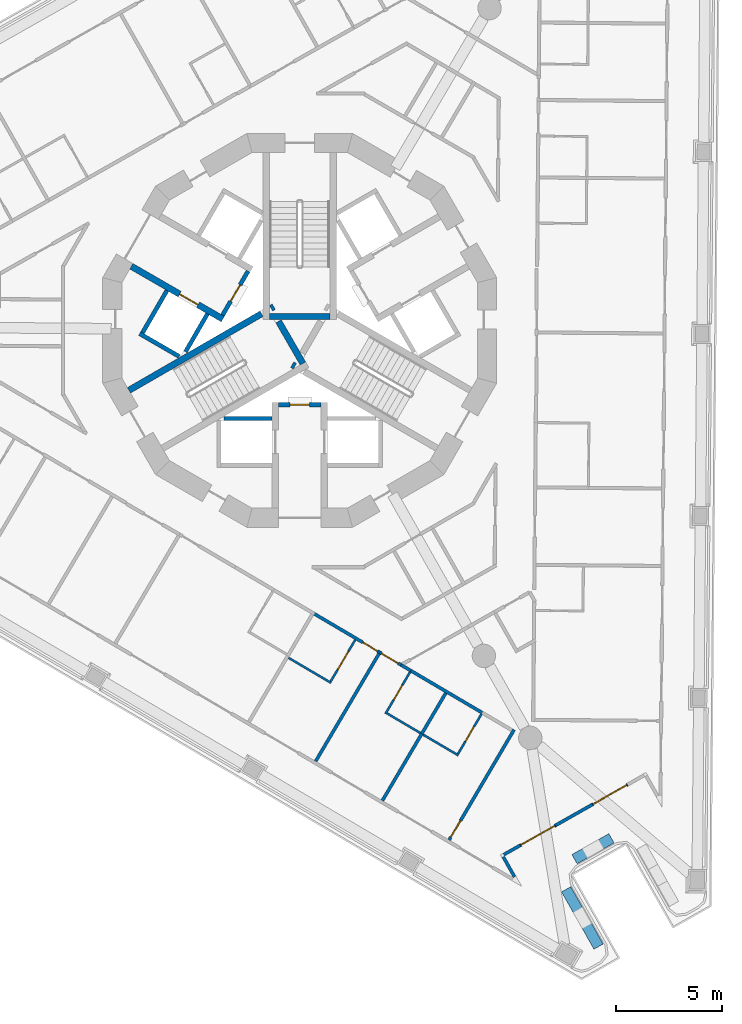
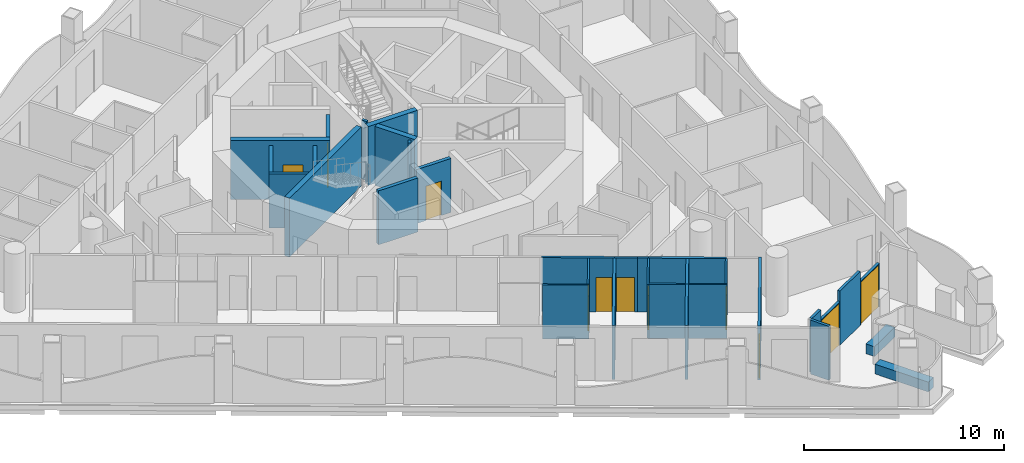
# One storey, part 4 of 17: 33 walls, 11 doors, 11 openings.
"""IFC4 building model written with IfcOpenShell, lengths in metres."""

from ifc_helpers import new_model, si_unit, direction, frame, frame_2d, origin, place, context, subcontext, project, spatial, polyline, rectangle, outline, extrude, material, layer, layer_set, type_object, element, fill, save


model = new_model("IFC4")

# Units and contexts
model_context = context("Model", 3, precision=1e-05, world=origin(), true_north=direction((0.0, 1.0)))
body_context = subcontext(model_context, "Body", "Model", "MODEL_VIEW")
ifc_project = project(units=[si_unit("LENGTHUNIT", "METRE"), si_unit("AREAUNIT", "SQUARE_METRE"), si_unit("VOLUMEUNIT", "CUBIC_METRE"), si_unit("PLANEANGLEUNIT", "RADIAN"), si_unit("MASSUNIT", "GRAM", prefix="KILO")], contexts=[model_context])

# Site, building, storey
site_placement = place(None, origin())
site = spatial("IfcSite", under=ifc_project, at=site_placement, CompositionType="ELEMENT")
building_placement = place(site_placement, origin())
building = spatial("IfcBuilding", under=site, at=building_placement, Name="Trine Commons Tower", CompositionType="ELEMENT")
storey_placement = place(building_placement, frame((0.0, 0.0, 179.10009765625)))
storey = spatial("IfcBuildingStorey", under=building, at=storey_placement, Name="L46", CompositionType="ELEMENT", Elevation=179.10009765625)

# Wall, opening, door
ifc_material_1 = material(Name="Aluminium-framed insulated wall panel", Category="aluminium")
ifc_layer_1 = layer(ifc_material_1, 0.14990234375)
ifc_layer_set_1 = layer_set([ifc_layer_1], Name="Aluminium-framed insulated wall panel")
wall_type_1 = type_object("IfcWallType", Name="Glazed frame wall 150, EI 60", PredefinedType="SOLIDWALL", material=ifc_layer_set_1)
wall_1_placement = place(storey_placement, frame((95.430419921875, 41.115966796875, 0.0), z_axis=(0.0, 0.0, 1.0), x_axis=(-0.870354540841, -0.492425601728, 0.0)))
wall_1 = element("IfcWall", 1, at=wall_1_placement, inside=storey, type_object=wall_type_1, Name="Glazed frame wall P3.2", PredefinedType="SOLIDWALL", context=body_context, shape_type="SweptSolid", body=[
    extrude(outline(polyline([(0.0, -0.074951171875), (1.89990234375, -0.074951171875), (1.89990234375, 0.074951171875), (0.0, 0.074951171875), (0.0, -0.074951171875)])), origin(), (0.0, 0.0, 1.0), 2.64990234375),
])
opening_1_placement = place(wall_1_placement, frame((0.050048828125, 0.0, 0.0)))
opening_1 = element("IfcOpeningElement", 2, at=opening_1_placement, cuts=wall_1, Name="Opening BD-5P3-01", PredefinedType="OPENING", context=body_context, shape_type="SweptSolid", body=[
    extrude(rectangle(XDim=1.800048828125, YDim=2.60009765625, at=frame_2d((0.89990234375, 1.300048828125))), frame((0.0, 0.0849609375, 0.0), z_axis=(0.0, -1.0, 0.0), x_axis=(1.0, 0.0, 0.0)), (0.0, 0.0, 1.0), 0.169921875),
])
ifc_material_2 = material(Name="Anodised aluminium frame with double glazing", Category="aluminium")
door_type_1 = type_object("IfcDoorType", Name="Sliding loggia door 1800x2600", OperationType="SLIDING_TO_LEFT", PredefinedType="DOOR", material=ifc_material_2)
door_1_placement = place(opening_1_placement, origin())
door_1 = element("IfcDoor", 3, at=door_1_placement, inside=storey, type_object=door_type_1, Name="Loggia door P3 1", OperationType="SLIDING_TO_LEFT", OverallHeight=2.60009765625, OverallWidth=1.800048828125, PredefinedType="DOOR", context=body_context, shape_type="SweptSolid", body=[
    extrude(rectangle(XDim=1.800048828125, YDim=2.60009765625, at=frame_2d((0.89990234375, 1.300048828125))), frame((0.0, 0.02490234375, 0.0), z_axis=(0.0, -1.0, 0.0), x_axis=(1.0, 0.0, 0.0)), (0.0, 0.0, 1.0), 0.050048828125),
])
fill(opening_1, door_1)

# Wall
wall_2_placement = place(storey_placement, frame((93.77685546875, 40.180419921875, 0.0), z_axis=(0.0, 0.0, 1.0), x_axis=(-0.870353598469, -0.492427267353, 0.0)))
element("IfcWall", 4, at=wall_2_placement, inside=storey, type_object=wall_type_1, Name="Glazed frame wall P3.3", PredefinedType="SOLIDWALL", context=body_context, shape_type="SweptSolid", body=[
    extrude(outline(polyline([(0.0, -0.074951171875), (2.0, -0.074951171875), (2.0, 0.074951171875), (0.0, 0.074951171875), (0.0, -0.074951171875)])), origin(), (0.0, 0.0, 1.0), 3.2998046875),
])

# Wall, opening, door
wall_3_placement = place(storey_placement, frame((92.0361328125, 39.195556640625, 0.0), z_axis=(0.0, 0.0, 1.0), x_axis=(-0.870385695537, -0.492370532226, 0.0)))
wall_3 = element("IfcWall", 5, at=wall_3_placement, inside=storey, type_object=wall_type_1, Name="Glazed frame wall P3.4", PredefinedType="SOLIDWALL", context=body_context, shape_type="SweptSolid", body=[
    extrude(outline(polyline([(0.0, -0.074951171875), (1.89990234375, -0.074951171875), (1.89990234375, 0.074951171875), (0.0, 0.074951171875), (0.0, -0.074951171875)])), origin(), (0.0, 0.0, 1.0), 2.64990234375),
])
opening_2_placement = place(wall_3_placement, frame((0.050048828125, 0.0, 0.0)))
opening_2 = element("IfcOpeningElement", 6, at=opening_2_placement, cuts=wall_3, Name="Opening BD-5P3-02", PredefinedType="OPENING", context=body_context, shape_type="SweptSolid", body=[
    extrude(rectangle(XDim=1.800048828125, YDim=2.60009765625, at=frame_2d((0.89990234375, 1.300048828125))), frame((0.0, 0.0849609375, 0.0), z_axis=(0.0, -1.0, 0.0), x_axis=(1.0, 0.0, 0.0)), (0.0, 0.0, 1.0), 0.169921875),
])
door_2_placement = place(opening_2_placement, origin())
door_2 = element("IfcDoor", 7, at=door_2_placement, inside=storey, type_object=door_type_1, Name="Loggia door P3 2", OperationType="SLIDING_TO_LEFT", OverallHeight=2.60009765625, OverallWidth=1.800048828125, PredefinedType="DOOR", context=body_context, shape_type="SweptSolid", body=[
    extrude(rectangle(XDim=1.800048828125, YDim=2.60009765625, at=frame_2d((0.89990234375, 1.300048828125))), frame((0.0, 0.02490234375, 0.0), z_axis=(0.0, -1.0, 0.0), x_axis=(1.0, 0.0, 0.0)), (0.0, 0.0, 1.0), 0.050048828125),
])
fill(opening_2, door_2)

# Walls
wall_4_placement = place(storey_placement, frame((90.38232421875, 38.260009765625, 0.0), z_axis=(0.0, 0.0, 1.0), x_axis=(-0.870294379776, -0.492531920316, 0.0)))
element("IfcWall", 8, at=wall_4_placement, inside=storey, type_object=wall_type_1, Name="Glazed frame wall P3.5", PredefinedType="SOLIDWALL", context=body_context, shape_type="SweptSolid", body=[
    extrude(outline(polyline([(0.889892578125, 0.074951171875), (0.0, 0.074951171875), (0.0, -0.074951171875), (0.889892578125, -0.074951171875), (0.889892578125, 0.074951171875)])), origin(), (0.0, 0.0, 1.0), 3.2998046875),
])
wall_5_placement = place(storey_placement, frame((89.525390625, 37.815185546875, 0.0), z_axis=(0.0, 0.0, 1.0), x_axis=(0.492302481267, -0.870424187933, 0.0)))
element("IfcWall", 9, at=wall_5_placement, inside=storey, type_object=wall_type_1, Name="Glazed frame wall R11", PredefinedType="SOLIDWALL", context=body_context, shape_type="SweptSolid", body=[
    extrude(outline(polyline([(0.110107421875, 0.074951171875), (0.110107421875, -0.074951171875), (1.19580078125, -0.074951171875), (1.19580078125, 0.074951171875), (0.110107421875, 0.074951171875)])), origin(), (0.0, 0.0, 1.0), 3.2998046875),
])

# Wall, opening, door
ifc_material_3 = material(Name="Fire-rated gypsum shaft wall system")
ifc_layer_2 = layer(ifc_material_3, 0.199951171875)
ifc_layer_set_2 = layer_set([ifc_layer_2], Name="Fire-rated gypsum shaft wall system")
wall_type_2 = type_object("IfcWallType", Name="Lobby end wall 200 mm, EI 120", PredefinedType="PARTITIONING", material=ifc_layer_set_2)
wall_6_placement = place(storey_placement, frame((77.569091796875, 65.2890625, 0.0), z_axis=(0.0, 0.0, 1.0), x_axis=(-0.50012165622, -0.865955154139, 0.0)))
wall_6 = element("IfcWall", 10, at=wall_6_placement, inside=storey, type_object=wall_type_2, Name="Lobby end wall L46", PredefinedType="PARTITIONING", context=body_context, shape_type="SweptSolid", body=[
    extrude(rectangle(XDim=2.39990234375, YDim=0.199951171875, at=frame_2d((1.199951171875, 0.0))), origin(), (0.0, 0.0, 1.0), 3.2998046875),
])
opening_3_placement = place(wall_6_placement, frame((0.749755859375, 0.0, 0.0)))
opening_3 = element("IfcOpeningElement", 11, at=opening_3_placement, cuts=wall_6, Name="Opening K09.07", PredefinedType="OPENING", context=body_context, shape_type="SweptSolid", body=[
    extrude(rectangle(XDim=0.89990234375, YDim=2.10009765625, at=frame_2d((0.449951171875, 1.050048828125))), frame((0.0, 0.10986328125, 0.0), z_axis=(0.0, -1.0, 0.0), x_axis=(1.0, 0.0, 0.0)), (0.0, 0.0, 1.0), 0.219970703125),
])
ifc_material_4 = material(Name="Steel door leaf, fire-rated", Category="steel")
door_type_2 = type_object("IfcDoorType", Name="Riser access door, single leaf 900 x 2100, FD60", OperationType="SINGLE_SWING_LEFT", PredefinedType="DOOR", material=ifc_material_4)
door_3_placement = place(opening_3_placement, frame((0.89990234375, 0.0, 0.0), z_axis=(0.0, 0.0, 1.0), x_axis=(-1.0, 0.0, 0.0)))
door_3 = element("IfcDoor", 12, at=door_3_placement, inside=storey, type_object=door_type_2, Name="Riser door, Mechanical riser L46", OperationType="SINGLE_SWING_RIGHT", OverallHeight=2.10009765625, OverallWidth=0.89990234375, PredefinedType="DOOR", context=body_context, shape_type="SweptSolid", body=[
    extrude(rectangle(XDim=0.89990234375, YDim=2.10009765625, at=frame_2d((0.449951171875, 1.050048828125))), frame((0.0, 0.02490234375, 0.0), z_axis=(0.0, -1.0, 0.0), x_axis=(1.0, 0.0, 0.0)), (0.0, 0.0, 1.0), 0.050048828125),
])
fill(opening_3, door_3)

wall_7_placement = place(storey_placement, frame((79.0, 59.0, 0.0), z_axis=(0.0, 0.0, 1.0), x_axis=(1.0, 0.0, 0.0)))
wall_7 = element("IfcWall", 13, at=wall_7_placement, inside=storey, type_object=wall_type_2, Name="Lobby end wall L46", PredefinedType="PARTITIONING", context=body_context, shape_type="SweptSolid", body=[
    extrude(rectangle(XDim=2.0, YDim=0.199951171875, at=frame_2d((1.0, 0.0))), origin(), (0.0, 0.0, 1.0), 3.2998046875),
])
opening_4_placement = place(wall_7_placement, frame((0.550048828125, 0.0, 0.0)))
opening_4 = element("IfcOpeningElement", 14, at=opening_4_placement, cuts=wall_7, Name="Opening K09.09", PredefinedType="OPENING", context=body_context, shape_type="SweptSolid", body=[
    extrude(rectangle(XDim=0.89990234375, YDim=2.10009765625, at=frame_2d((0.449951171875, 1.050048828125))), frame((0.0, 0.10986328125, 0.0), z_axis=(0.0, -1.0, 0.0), x_axis=(1.0, 0.0, 0.0)), (0.0, 0.0, 1.0), 0.219970703125),
])
door_4_placement = place(opening_4_placement, frame((0.89990234375, 0.0, 0.0), z_axis=(0.0, 0.0, 1.0), x_axis=(-1.0, 0.0, 0.0)))
door_4 = element("IfcDoor", 15, at=door_4_placement, inside=storey, type_object=door_type_2, Name="Riser door, Communications riser L46", OperationType="SINGLE_SWING_RIGHT", OverallHeight=2.10009765625, OverallWidth=0.89990234375, PredefinedType="DOOR", context=body_context, shape_type="SweptSolid", body=[
    extrude(rectangle(XDim=0.89990234375, YDim=2.10009765625, at=frame_2d((0.449951171875, 1.050048828125))), frame((0.0, 0.02490234375, 0.0), z_axis=(0.0, -1.0, 0.0), x_axis=(1.0, 0.0, 0.0)), (0.0, 0.0, 1.0), 0.050048828125),
])
fill(opening_4, door_4)

# Walls
ifc_material_5 = material(Name="Planter trough, precast concrete C40/50", Category="concrete")
ifc_layer_3 = layer(ifc_material_5, 0.5)
ifc_layer_set_3 = layer_set([ifc_layer_3], Name="Planter trough, precast concrete C40/50")
wall_type_3 = type_object("IfcWallType", Name="Planter trough 500x600", PredefinedType="PARAPET", material=ifc_layer_set_3)
wall_8_placement = place(storey_placement, frame((94.67529296875, 38.592041015625, 0.0), z_axis=(0.0, 0.0, 1.0), x_axis=(-0.870323993841, -0.492479589165, 0.0)))
element("IfcWall", 16, at=wall_8_placement, inside=storey, type_object=wall_type_3, Name="Planter 8", PredefinedType="PARAPET", context=body_context, shape_type="SweptSolid", body=[
    extrude(rectangle(XDim=1.999755859375, YDim=0.5, at=frame_2d((1.0, 0.0))), origin(), (0.0, 0.0, 1.0), 0.599853515625),
])
wall_9_placement = place(storey_placement, frame((92.541748046875, 36.189697265625, 0.0), z_axis=(0.0, 0.0, 1.0), x_axis=(0.492402381783, -0.870367677717, 0.0)))
element("IfcWall", 17, at=wall_9_placement, inside=storey, type_object=wall_type_3, Name="Planter 9", PredefinedType="PARAPET", context=body_context, shape_type="SweptSolid", body=[
    extrude(rectangle(XDim=3.099853515625, YDim=0.5, at=frame_2d((1.5498046875, 0.0))), origin(), (0.0, 0.0, 1.0), 0.599853515625),
])

# Wall, opening, door
ifc_material_6 = material(Name="Concrete C60/75", Category="concrete")
ifc_layer_4 = layer(ifc_material_6, 0.300048828125)
ifc_layer_set_4 = layer_set([ifc_layer_4], Name="Concrete C60/75")
wall_type_4 = type_object("IfcWallType", Name="RC shear wall 300 mm, C60/75", PredefinedType="SHEAR", material=ifc_layer_set_4)
wall_10_placement = place(storey_placement, frame((76.381103515625, 63.031005859375, 0.0), z_axis=(0.0, 0.0, 1.0), x_axis=(-0.866080953719, 0.499903772346, 0.0)))
wall_10 = element("IfcWall", 18, at=wall_10_placement, inside=storey, type_object=wall_type_4, Name="Core cross wall SWB-01 L46", PredefinedType="SHEAR", context=body_context, shape_type="SweptSolid", body=[
    extrude(rectangle(XDim=4.97314453125, YDim=0.300048828125, at=frame_2d((2.486572265625, 0.0))), origin(), (0.0, 0.0, 1.0), 3.599853515625),
])
opening_5_placement = place(wall_10_placement, frame((1.350341796875, 0.0, 0.0)))
opening_5 = element("IfcOpeningElement", 19, at=opening_5_placement, cuts=wall_10, Name="Opening LD7", PredefinedType="OPENING", context=body_context, shape_type="SweptSolid", body=[
    extrude(rectangle(XDim=1.0, YDim=2.10009765625, at=frame_2d((0.5, 1.050048828125))), frame((0.0, 0.159912109375, 0.0), z_axis=(0.0, -1.0, 0.0), x_axis=(1.0, 0.0, 0.0)), (0.0, 0.0, 1.0), 0.320068359375),
])
ifc_material_7 = material(Name="Stainless steel sliding door leaves", Category="steel")
door_type_3 = type_object("IfcDoorType", Name="Lift landing door, centre-opening sliding 1000 x 2100, FD90", OperationType="DOUBLE_DOOR_SLIDING", PredefinedType="DOOR", material=ifc_material_7)
door_5_placement = place(opening_5_placement, origin())
door_5 = element("IfcDoor", 20, at=door_5_placement, inside=storey, type_object=door_type_3, Name="Lift landing door HR3 L46", OperationType="DOUBLE_DOOR_SLIDING", OverallHeight=2.10009765625, OverallWidth=1.0, PredefinedType="DOOR", context=body_context, shape_type="SweptSolid", body=[
    extrude(rectangle(XDim=1.0, YDim=2.10009765625, at=frame_2d((0.5, 1.050048828125))), frame((0.0, 0.02490234375, 0.0), z_axis=(0.0, -1.0, 0.0), x_axis=(1.0, 0.0, 0.0)), (0.0, 0.0, 1.0), 0.050048828125),
])
fill(opening_5, door_5)

# Walls
wall_11_placement = place(storey_placement, frame((78.199951171875, 63.280029296875, 0.0), z_axis=(0.0, 0.0, 1.0), x_axis=(-0.866028135082, -0.499995269223, 0.0)))
element("IfcWall", 21, at=wall_11_placement, inside=storey, type_object=wall_type_4, Name="Core cross wall SWB-07 L46", PredefinedType="SHEAR", context=body_context, shape_type="SweptSolid", body=[
    extrude(rectangle(XDim=7.2041015625, YDim=0.300048828125, at=frame_2d((3.60205078125, 0.0))), origin(), (0.0, 0.0, 1.0), 3.599853515625),
])
wall_12_placement = place(storey_placement, frame((78.779052734375, 63.614013671875, 0.0), z_axis=(0.0, 0.0, 1.0), x_axis=(-0.867737973955, -0.497021939713, 0.0)))
element("IfcWall", 22, at=wall_12_placement, inside=storey, type_object=wall_type_4, Name="Core cross wall SWB-09 L46", PredefinedType="SHEAR", context=body_context, shape_type="SweptSolid", body=[
    extrude(rectangle(XDim=0.14892578125, YDim=0.300048828125, at=frame_2d((0.074462890625, 0.0))), origin(), (0.0, 0.0, 1.0), 3.599853515625),
])
wall_13_placement = place(storey_placement, frame((79.0029296875, 62.926025390625, 0.0), z_axis=(0.0, 0.0, 1.0), x_axis=(0.499965247104, -0.866045467449, 0.0)))
element("IfcWall", 23, at=wall_13_placement, inside=storey, type_object=wall_type_4, Name="Core cross wall SWB-10 L46", PredefinedType="SHEAR", context=body_context, shape_type="SweptSolid", body=[
    extrude(rectangle(XDim=2.292236328125, YDim=0.300048828125, at=frame_2d((1.14599609375, 0.0))), origin(), (0.0, 0.0, 1.0), 3.599853515625),
])
wall_14_placement = place(storey_placement, frame((79.64599609375, 60.885986328125, 0.0), z_axis=(0.0, 0.0, 1.0), x_axis=(0.867331893649, -0.497730234424, 0.0)))
element("IfcWall", 24, at=wall_14_placement, inside=storey, type_object=wall_type_4, Name="Core cross wall SWB-11 L46", PredefinedType="SHEAR", context=body_context, shape_type="SweptSolid", body=[
    extrude(rectangle(XDim=0.148681640625, YDim=0.300048828125, at=frame_2d((0.07421875, 0.0))), origin(), (0.0, 0.0, 1.0), 3.599853515625),
])
wall_15_placement = place(storey_placement, frame((81.425048828125, 63.15087890625, 0.0), z_axis=(0.0, 0.0, 1.0), x_axis=(-1.0, 0.0, 0.0)))
element("IfcWall", 25, at=wall_15_placement, inside=storey, type_object=wall_type_4, Name="Core cross wall SWB-16 L46", PredefinedType="SHEAR", context=body_context, shape_type="SweptSolid", body=[
    extrude(rectangle(XDim=2.85009765625, YDim=0.300048828125, at=frame_2d((1.425048828125, 0.0))), origin(), (0.0, 0.0, 1.0), 3.599853515625),
])
ifc_layer_5 = layer(ifc_material_3, 0.199951171875)
ifc_layer_set_5 = layer_set([ifc_layer_5], Name="Fire-rated gypsum shaft wall system")
wall_type_5 = type_object("IfcWallType", Name="Shaft wall 200 mm, EI 120", PredefinedType="PARTITIONING", material=ifc_layer_set_5)
wall_16_placement = place(storey_placement, frame((73.7509765625, 64.3759765625, 0.0), z_axis=(0.0, 0.0, 1.0), x_axis=(-0.500136062276, -0.86594683394, 0.0)))
element("IfcWall", 26, at=wall_16_placement, inside=storey, type_object=wall_type_5, Name="Shaft wall L46", PredefinedType="PARTITIONING", context=body_context, shape_type="SweptSolid", body=[
    extrude(rectangle(XDim=2.299072265625, YDim=0.199951171875, at=frame_2d((1.1494140625, 0.0))), origin(), (0.0, 0.0, 1.0), 3.2998046875),
])
wall_17_placement = place(storey_placement, frame((74.324951171875, 61.27392578125, 0.0), z_axis=(0.0, 0.0, 1.0), x_axis=(-0.866102336459, 0.499866725018, 0.0)))
element("IfcWall", 27, at=wall_17_placement, inside=storey, type_object=wall_type_5, Name="Shaft wall L46", PredefinedType="PARTITIONING", context=body_context, shape_type="SweptSolid", body=[
    extrude(rectangle(XDim=2.1484375, YDim=0.199951171875, at=frame_2d((1.07421875, 0.0))), origin(), (0.0, 0.0, 1.0), 3.2998046875),
])
wall_18_placement = place(storey_placement, frame((75.656005859375, 63.27587890625, 0.0), z_axis=(0.0, 0.0, 1.0), x_axis=(-0.500271688072, -0.86586848777, 0.0)))
element("IfcWall", 28, at=wall_18_placement, inside=storey, type_object=wall_type_5, Name="Shaft wall L46", PredefinedType="PARTITIONING", context=body_context, shape_type="SweptSolid", body=[
    extrude(rectangle(XDim=2.064697265625, YDim=0.199951171875, at=frame_2d((1.0322265625, 0.0))), origin(), (0.0, 0.0, 1.0), 3.2998046875),
])
wall_19_placement = place(storey_placement, frame((78.699951171875, 58.35009765625, 0.0), z_axis=(0.0, 0.0, 1.0), x_axis=(-1.0, 0.0, 0.0)))
element("IfcWall", 29, at=wall_19_placement, inside=storey, type_object=wall_type_5, Name="Shaft wall L46", PredefinedType="PARTITIONING", context=body_context, shape_type="SweptSolid", body=[
    extrude(rectangle(XDim=2.264892578125, YDim=0.199951171875, at=frame_2d((1.13232421875, 0.0))), origin(), (0.0, 0.0, 1.0), 3.2998046875),
])

# Wall, opening, door
ifc_material_8 = material(Name="Gypsum plasterboard on steel stud", Category="steel")
ifc_layer_6 = layer(ifc_material_8, 0.14990234375)
ifc_layer_set_6 = layer_set([ifc_layer_6], Name="Gypsum plasterboard on steel stud")
wall_type_6 = type_object("IfcWallType", Name="Unit and corridor wall 150 mm, EI 60", PredefinedType="PARTITIONING", material=ifc_layer_set_6)
wall_20_placement = place(storey_placement, frame((80.6240234375, 49.194091796875, 0.0), z_axis=(0.0, 0.0, 1.0), x_axis=(0.861545767891, -0.507679908829, 0.0)))
wall_20 = element("IfcWall", 30, at=wall_20_placement, inside=storey, type_object=wall_type_6, Name="Partition 068", PredefinedType="PARTITIONING", context=body_context, shape_type="SweptSolid", body=[
    extrude(rectangle(XDim=3.65380859375, YDim=0.14990234375, at=frame_2d((1.826904296875, 0.0))), origin(), (0.0, 0.0, 1.0), 3.2998046875),
])
opening_6_placement = place(wall_20_placement, frame((2.731201171875, 0.0, 0.0)))
opening_6 = element("IfcOpeningElement", 31, at=opening_6_placement, cuts=wall_20, Name="Opening D-5B24", PredefinedType="OPENING", context=body_context, shape_type="SweptSolid", body=[
    extrude(rectangle(XDim=0.800048828125, YDim=2.10009765625, at=frame_2d((0.39990234375, 1.050048828125))), frame((0.0, 0.0849609375, 0.0), z_axis=(0.0, -1.0, 0.0), x_axis=(1.0, 0.0, 0.0)), (0.0, 0.0, 1.0), 0.169921875),
])
ifc_material_9 = material(Name="Timber fire door set", Category="wood")
door_type_4 = type_object("IfcDoorType", Name="Bedroom door 800 x 2100, FD30S", OperationType="NOTDEFINED", PredefinedType="DOOR", material=ifc_material_9)
door_6_placement = place(opening_6_placement, frame((0.800048828125, 0.0, 0.0), z_axis=(0.0, 0.0, 1.0), x_axis=(-1.0, 0.0, 0.0)))
door_6 = element("IfcDoor", 32, at=door_6_placement, inside=storey, type_object=door_type_4, Name="Door D-5B24", OperationType="SINGLE_SWING_LEFT", OverallHeight=2.10009765625, OverallWidth=0.800048828125, PredefinedType="DOOR", context=body_context, shape_type="SweptSolid", body=[
    extrude(rectangle(XDim=0.800048828125, YDim=2.10009765625, at=frame_2d((0.39990234375, 1.050048828125))), frame((0.0, 0.02490234375, 0.0), z_axis=(0.0, -1.0, 0.0), x_axis=(1.0, 0.0, 0.0)), (0.0, 0.0, 1.0), 0.050048828125),
])
fill(opening_6, door_6)

# Wall
wall_21_placement = place(storey_placement, frame((80.750244140625, 42.215576171875, 0.0), z_axis=(0.0, 0.0, 1.0), x_axis=(0.507497807972, 0.86165304787, 0.0)))
element("IfcWall", 33, at=wall_21_placement, inside=storey, type_object=wall_type_6, Name="Partition 071", PredefinedType="PARTITIONING", context=body_context, shape_type="SweptSolid", body=[
    extrude(rectangle(XDim=5.873291015625, YDim=0.14990234375, at=frame_2d((2.9365234375, 0.0))), origin(), (0.0, 0.0, 1.0), 3.2998046875),
])

# Wall, opening, door
wall_22_placement = place(storey_placement, frame((83.76611328125, 47.343017578125, 0.0), z_axis=(0.0, 0.0, 1.0), x_axis=(0.861734818552, -0.507358948374, 0.0)))
wall_22 = element("IfcWall", 34, at=wall_22_placement, inside=storey, type_object=wall_type_6, Name="Partition 081", PredefinedType="PARTITIONING", context=body_context, shape_type="SweptSolid", body=[
    extrude(rectangle(XDim=1.1650390625, YDim=0.14990234375, at=frame_2d((0.58251953125, 0.0))), origin(), (0.0, 0.0, 1.0), 3.2998046875),
])
opening_7_placement = place(wall_22_placement, frame((0.109619140625, 0.0, 0.0)))
opening_7 = element("IfcOpeningElement", 35, at=opening_7_placement, cuts=wall_22, Name="Opening D-5B23", PredefinedType="OPENING", context=body_context, shape_type="SweptSolid", body=[
    extrude(rectangle(XDim=0.89990234375, YDim=2.10009765625, at=frame_2d((0.449951171875, 1.050048828125))), frame((0.0, 0.0849609375, 0.0), z_axis=(0.0, -1.0, 0.0), x_axis=(1.0, 0.0, 0.0)), (0.0, 0.0, 1.0), 0.169921875),
])
door_type_5 = type_object("IfcDoorType", Name="Bedroom door 900 x 2100, FD30S", OperationType="NOTDEFINED", PredefinedType="DOOR", material=ifc_material_9)
door_7_placement = place(opening_7_placement, frame((0.89990234375, 0.0, 0.0), z_axis=(0.0, 0.0, 1.0), x_axis=(-1.0, 0.0, 0.0)))
door_7 = element("IfcDoor", 36, at=door_7_placement, inside=storey, type_object=door_type_5, Name="Door D-5B23", OperationType="SINGLE_SWING_RIGHT", OverallHeight=2.10009765625, OverallWidth=0.89990234375, PredefinedType="DOOR", context=body_context, shape_type="SweptSolid", body=[
    extrude(rectangle(XDim=0.89990234375, YDim=2.10009765625, at=frame_2d((0.449951171875, 1.050048828125))), frame((0.0, 0.02490234375, 0.0), z_axis=(0.0, -1.0, 0.0), x_axis=(1.0, 0.0, 0.0)), (0.0, 0.0, 1.0), 0.050048828125),
])
fill(opening_7, door_7)

# Walls
wall_23_placement = place(storey_placement, frame((83.892333984375, 40.364501953125, 0.0), z_axis=(0.0, 0.0, 1.0), x_axis=(0.50751135469, 0.861645068959, 0.0)))
element("IfcWall", 37, at=wall_23_placement, inside=storey, type_object=wall_type_6, Name="Partition 082", PredefinedType="PARTITIONING", context=body_context, shape_type="SweptSolid", body=[
    extrude(rectangle(XDim=3.6484375, YDim=0.14990234375, at=frame_2d((1.82421875, 0.0))), origin(), (0.0, 0.0, 1.0), 3.2998046875),
])
wall_24_placement = place(storey_placement, frame((84.77001953125, 46.751953125, 0.0), z_axis=(0.0, 0.0, 1.0), x_axis=(0.861655023, -0.507494454491, 0.0)))
element("IfcWall", 38, at=wall_24_placement, inside=storey, type_object=wall_type_6, Name="Partition 089", PredefinedType="PARTITIONING", context=body_context, shape_type="SweptSolid", body=[
    extrude(rectangle(XDim=0.539794921875, YDim=0.14990234375, at=frame_2d((0.27001953125, 0.0))), origin(), (0.0, 0.0, 1.0), 3.2998046875),
])
wall_25_placement = place(storey_placement, frame((85.22900390625, 46.48193359375, 0.0), z_axis=(0.0, 0.0, 1.0), x_axis=(0.861496973754, -0.507762704629, 0.0)))
element("IfcWall", 39, at=wall_25_placement, inside=storey, type_object=wall_type_6, Name="Partition 096", PredefinedType="PARTITIONING", context=body_context, shape_type="SweptSolid", body=[
    extrude(rectangle(XDim=3.9072265625, YDim=0.14990234375, at=frame_2d((1.95361328125, 0.0))), origin(), (0.0, 0.0, 1.0), 3.2998046875),
])
wall_26_placement = place(storey_placement, frame((85.743896484375, 43.508056640625, 0.0), z_axis=(0.0, 0.0, 1.0), x_axis=(0.507719935198, 0.861522180447, 0.0)))
element("IfcWall", 40, at=wall_26_placement, inside=storey, type_object=wall_type_6, Name="Partition 097", PredefinedType="PARTITIONING", context=body_context, shape_type="SweptSolid", body=[
    extrude(rectangle(XDim=2.225341796875, YDim=0.14990234375, at=frame_2d((1.11279296875, 0.0))), origin(), (0.0, 0.0, 1.0), 3.2998046875),
])

# Wall, opening, door
wall_27_placement = place(storey_placement, frame((87.035400390625, 38.512451171875, 0.0), z_axis=(0.0, 0.0, 1.0), x_axis=(0.507392006532, 0.861715354225, 0.0)))
wall_27 = element("IfcWall", 41, at=wall_27_placement, inside=storey, type_object=wall_type_6, Name="Partition 103", PredefinedType="PARTITIONING", context=body_context, shape_type="SweptSolid", body=[
    extrude(rectangle(XDim=6.024169921875, YDim=0.14990234375, at=frame_2d((3.01220703125, 0.0))), origin(), (0.0, 0.0, 1.0), 3.2998046875),
])
opening_8_placement = place(wall_27_placement, frame((0.14990234375, 0.0, 0.0)))
opening_8 = element("IfcOpeningElement", 42, at=opening_8_placement, cuts=wall_27, Name="Opening D-5B22", PredefinedType="OPENING", context=body_context, shape_type="SweptSolid", body=[
    extrude(rectangle(XDim=0.89990234375, YDim=2.10009765625, at=frame_2d((0.449951171875, 1.050048828125))), frame((0.0, 0.0849609375, 0.0), z_axis=(0.0, -1.0, 0.0), x_axis=(1.0, 0.0, 0.0)), (0.0, 0.0, 1.0), 0.169921875),
])
door_8_placement = place(opening_8_placement, origin())
door_8 = element("IfcDoor", 43, at=door_8_placement, inside=storey, type_object=door_type_5, Name="Door D-5B22", OperationType="SINGLE_SWING_LEFT", OverallHeight=2.10009765625, OverallWidth=0.89990234375, PredefinedType="DOOR", context=body_context, shape_type="SweptSolid", body=[
    extrude(rectangle(XDim=0.89990234375, YDim=2.10009765625, at=frame_2d((0.449951171875, 1.050048828125))), frame((0.0, 0.02490234375, 0.0), z_axis=(0.0, -1.0, 0.0), x_axis=(1.0, 0.0, 0.0)), (0.0, 0.0, 1.0), 0.050048828125),
])
fill(opening_8, door_8)

# Wall
ifc_layer_7 = layer(ifc_material_8, 0.10009765625)
ifc_layer_set_7 = layer_set([ifc_layer_7], Name="Gypsum plasterboard on steel stud")
wall_type_7 = type_object("IfcWallType", Name="Unit partition 100 mm, no rating", PredefinedType="PARTITIONING", material=ifc_layer_set_7)
wall_28_placement = place(storey_placement, frame((79.4736328125, 47.0859375, 0.0), z_axis=(0.0, 0.0, 1.0), x_axis=(0.861645111773, -0.507511282001, 0.0)))
element("IfcWall", 44, at=wall_28_placement, inside=storey, type_object=wall_type_7, Name="Partition 065", PredefinedType="PARTITIONING", context=body_context, shape_type="SweptSolid", body=[
    extrude(rectangle(XDim=2.323974609375, YDim=0.10009765625, at=frame_2d((1.162109375, 0.0))), origin(), (0.0, 0.0, 1.0), 3.2998046875),
])

# Wall, opening, door
wall_29_placement = place(storey_placement, frame((81.45849609375, 45.97509765625, 0.0), z_axis=(0.0, 0.0, 1.0), x_axis=(0.508009523195, 0.861351452279, 0.0)))
wall_29 = element("IfcWall", 45, at=wall_29_placement, inside=storey, type_object=wall_type_7, Name="Partition 076", PredefinedType="PARTITIONING", context=body_context, shape_type="SweptSolid", body=[
    extrude(rectangle(XDim=2.274658203125, YDim=0.10009765625, at=frame_2d((1.13720703125, 0.0))), origin(), (0.0, 0.0, 1.0), 3.2998046875),
])
opening_9_placement = place(wall_29_placement, frame((0.63720703125, 0.0, 0.0)))
opening_9 = element("IfcOpeningElement", 46, at=opening_9_placement, cuts=wall_29, Name="Opening D-5B55", PredefinedType="OPENING", context=body_context, shape_type="SweptSolid", body=[
    extrude(rectangle(XDim=1.0, YDim=2.10009765625, at=frame_2d((0.5, 1.050048828125))), frame((0.0, 0.06005859375, 0.0), z_axis=(0.0, -1.0, 0.0), x_axis=(1.0, 0.0, 0.0)), (0.0, 0.0, 1.0), 0.1201171875),
])
ifc_material_10 = material(Name="Painted timber", Category="wood")
door_type_6 = type_object("IfcDoorType", Name="Internal door 1000 x 2100, NOT RATED", OperationType="NOTDEFINED", PredefinedType="DOOR", material=ifc_material_10)
door_9_placement = place(opening_9_placement, frame((1.0, 0.0, 0.0), z_axis=(0.0, 0.0, 1.0), x_axis=(-1.0, 0.0, 0.0)))
door_9 = element("IfcDoor", 47, at=door_9_placement, inside=storey, type_object=door_type_6, Name="Door D-5B55", OperationType="SINGLE_SWING_RIGHT", OverallHeight=2.10009765625, OverallWidth=1.0, PredefinedType="DOOR", context=body_context, shape_type="SweptSolid", body=[
    extrude(rectangle(XDim=1.0, YDim=2.10009765625, at=frame_2d((0.5, 1.050048828125))), frame((0.0, 0.02490234375, 0.0), z_axis=(0.0, -1.0, 0.0), x_axis=(1.0, 0.0, 0.0)), (0.0, 0.0, 1.0), 0.050048828125),
])
fill(opening_9, door_9)

wall_30_placement = place(storey_placement, frame((84.03857421875, 44.454833984375, 0.0), z_axis=(0.0, 0.0, 1.0), x_axis=(0.50769515182, 0.861536785528, 0.0)))
wall_30 = element("IfcWall", 48, at=wall_30_placement, inside=storey, type_object=wall_type_7, Name="Partition 083", PredefinedType="PARTITIONING", context=body_context, shape_type="SweptSolid", body=[
    extrude(rectangle(XDim=2.275634765625, YDim=0.10009765625, at=frame_2d((1.1376953125, 0.0))), origin(), (0.0, 0.0, 1.0), 3.2998046875),
])
opening_10_placement = place(wall_30_placement, frame((0.7626953125, 0.0, 0.0)))
opening_10 = element("IfcOpeningElement", 49, at=opening_10_placement, cuts=wall_30, Name="Opening D-5B54", PredefinedType="OPENING", context=body_context, shape_type="SweptSolid", body=[
    extrude(rectangle(XDim=0.800048828125, YDim=2.10009765625, at=frame_2d((0.39990234375, 1.050048828125))), frame((0.0, 0.06005859375, 0.0), z_axis=(0.0, -1.0, 0.0), x_axis=(1.0, 0.0, 0.0)), (0.0, 0.0, 1.0), 0.1201171875),
])
door_type_7 = type_object("IfcDoorType", Name="Internal door 800 x 2100, NOT RATED", OperationType="NOTDEFINED", PredefinedType="DOOR", material=ifc_material_10)
door_10_placement = place(opening_10_placement, origin())
door_10 = element("IfcDoor", 50, at=door_10_placement, inside=storey, type_object=door_type_7, Name="Door D-5B54", OperationType="SINGLE_SWING_RIGHT", OverallHeight=2.10009765625, OverallWidth=0.800048828125, PredefinedType="DOOR", context=body_context, shape_type="SweptSolid", body=[
    extrude(rectangle(XDim=0.800048828125, YDim=2.10009765625, at=frame_2d((0.39990234375, 1.050048828125))), frame((0.0, 0.02490234375, 0.0), z_axis=(0.0, -1.0, 0.0), x_axis=(1.0, 0.0, 0.0)), (0.0, 0.0, 1.0), 0.050048828125),
])
fill(opening_10, door_10)

# Walls
wall_31_placement = place(storey_placement, frame((84.107177734375, 44.47265625, 0.0), z_axis=(0.0, 0.0, 1.0), x_axis=(0.861538461538, -0.507692307692, 0.0)))
element("IfcWall", 51, at=wall_31_placement, inside=storey, type_object=wall_type_7, Name="Partition 084", PredefinedType="PARTITIONING", context=body_context, shape_type="SweptSolid", body=[
    extrude(rectangle(XDim=1.824951171875, YDim=0.10009765625, at=frame_2d((0.91259765625, 0.0))), origin(), (0.0, 0.0, 1.0), 3.2998046875),
])
wall_32_placement = place(storey_placement, frame((85.80859375, 43.469970703125, 0.0), z_axis=(0.0, 0.0, 1.0), x_axis=(0.861891835241, -0.507092165533, 0.0)))
element("IfcWall", 52, at=wall_32_placement, inside=storey, type_object=wall_type_7, Name="Partition 098", PredefinedType="PARTITIONING", context=body_context, shape_type="SweptSolid", body=[
    extrude(rectangle(XDim=1.92529296875, YDim=0.10009765625, at=frame_2d((0.962646484375, 0.0))), origin(), (0.0, 0.0, 1.0), 3.2998046875),
])

# Wall, opening, door
wall_33_placement = place(storey_placement, frame((87.450439453125, 42.56201171875, 0.0), z_axis=(0.0, 0.0, 1.0), x_axis=(0.507559836999, 0.861616510906, 0.0)))
wall_33 = element("IfcWall", 53, at=wall_33_placement, inside=storey, type_object=wall_type_7, Name="Partition 104", PredefinedType="PARTITIONING", context=body_context, shape_type="SweptSolid", body=[
    extrude(rectangle(XDim=2.174072265625, YDim=0.10009765625, at=frame_2d((1.0869140625, 0.0))), origin(), (0.0, 0.0, 1.0), 3.2998046875),
])
opening_11_placement = place(wall_33_placement, frame((0.68701171875, 0.0, 0.0)))
opening_11 = element("IfcOpeningElement", 54, at=opening_11_placement, cuts=wall_33, Name="Opening D-5B53", PredefinedType="OPENING", context=body_context, shape_type="SweptSolid", body=[
    extrude(rectangle(XDim=0.800048828125, YDim=2.10009765625, at=frame_2d((0.39990234375, 1.050048828125))), frame((0.0, 0.06005859375, 0.0), z_axis=(0.0, -1.0, 0.0), x_axis=(1.0, 0.0, 0.0)), (0.0, 0.0, 1.0), 0.1201171875),
])
door_11_placement = place(opening_11_placement, frame((0.800048828125, 0.0, 0.0), z_axis=(0.0, 0.0, 1.0), x_axis=(-1.0, 0.0, 0.0)))
door_11 = element("IfcDoor", 55, at=door_11_placement, inside=storey, type_object=door_type_7, Name="Door D-5B53", OperationType="SINGLE_SWING_RIGHT", OverallHeight=2.10009765625, OverallWidth=0.800048828125, PredefinedType="DOOR", context=body_context, shape_type="SweptSolid", body=[
    extrude(rectangle(XDim=0.800048828125, YDim=2.10009765625, at=frame_2d((0.39990234375, 1.050048828125))), frame((0.0, 0.02490234375, 0.0), z_axis=(0.0, -1.0, 0.0), x_axis=(1.0, 0.0, 0.0)), (0.0, 0.0, 1.0), 0.050048828125),
])
fill(opening_11, door_11)

save(model, "model.ifc")
